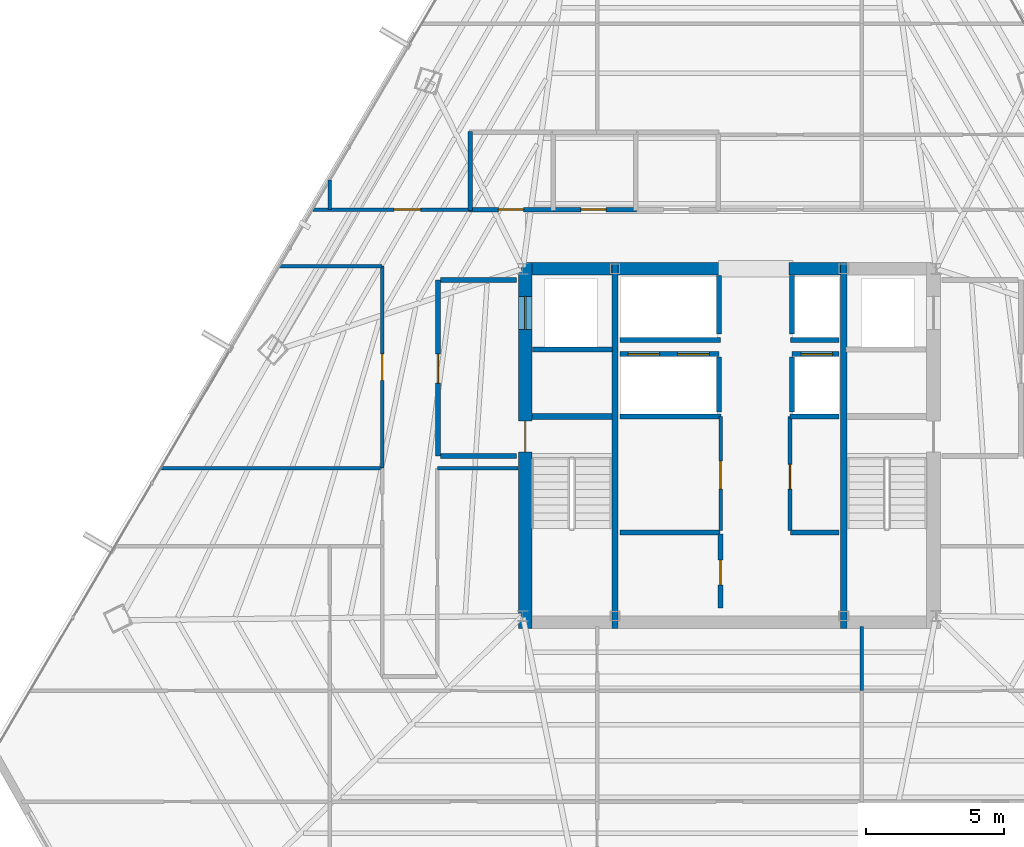
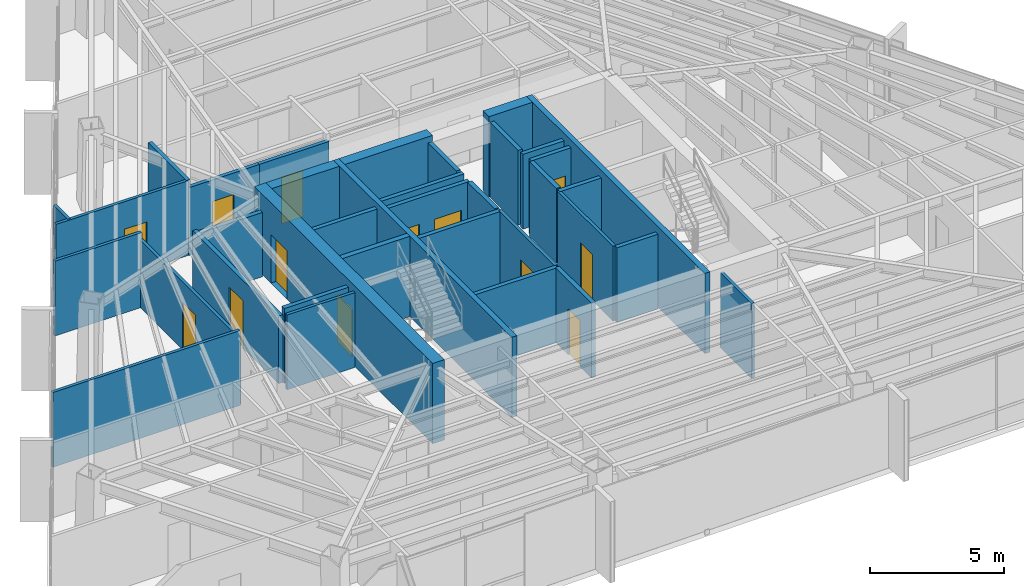
# One storey, part 36 of 42: 36 walls, 13 doors, 13 openings.
"""IFC4 building model written with IfcOpenShell, lengths in metres."""

from ifc_helpers import new_model, si_unit, direction, frame, frame_2d, origin, place, context, subcontext, project, spatial, rectangle, extrude, material, layer, layer_set, type_object, element, fill, save


model = new_model("IFC4")

# Units and contexts
model_context = context("Model", 3, precision=1e-05, world=origin(), true_north=direction((0.0, 1.0)))
body_context = subcontext(model_context, "Body", "Model", "MODEL_VIEW")
ifc_project = project(units=[si_unit("LENGTHUNIT", "METRE"), si_unit("AREAUNIT", "SQUARE_METRE"), si_unit("VOLUMEUNIT", "CUBIC_METRE"), si_unit("PLANEANGLEUNIT", "RADIAN"), si_unit("MASSUNIT", "GRAM", prefix="KILO")], contexts=[model_context])

# Site, building, storey
site_placement = place(None, origin())
site = spatial("IfcSite", under=ifc_project, at=site_placement, CompositionType="ELEMENT")
building_placement = place(site_placement, origin())
building = spatial("IfcBuilding", under=site, at=building_placement, Name="Caelisora Broadcast Tower", CompositionType="ELEMENT")
storey_placement = place(building_placement, frame((0.0, 0.0, 195.0)))
storey = spatial("IfcBuildingStorey", under=building, at=storey_placement, Name="L51", CompositionType="ELEMENT", Elevation=195.0)

# Wall, openings, doors
ifc_material_1 = material(Name="Concrete 50 MPa (AS 3600 S50)", Category="concrete")
ifc_layer_1 = layer(ifc_material_1, 0.5, Name="Concrete 50 MPa (AS 3600 S50)")
ifc_layer_set_1 = layer_set([ifc_layer_1], Name="Concrete 50 MPa (AS 3600 S50)")
wall_type_1 = type_object("IfcWallType", Name="CW2", PredefinedType="SHEAR", material=ifc_layer_set_1)
wall_1_placement = place(storey_placement, frame((30.590087890625, 16.949951171875, 0.0), z_axis=(0.0, 0.0, 1.0), x_axis=(0.0, 1.0, 0.0)))
wall_1 = element("IfcWall", 1, at=wall_1_placement, inside=storey, type_object=wall_type_1, Name="L51 core shear wall CW2", PredefinedType="SHEAR", context=body_context, shape_type="SweptSolid", body=[
    extrude(rectangle(XDim=13.275146484375, YDim=0.5, at=frame_2d((6.6376953125, 0.0))), origin(), (0.0, 0.0, 1.0), 3.64990234375),
])
opening_1_placement = place(wall_1_placement, frame((6.39990234375, 0.0, 0.0)))
opening_1 = element("IfcOpeningElement", 2, at=opening_1_placement, cuts=wall_1, Name="Opening FD04", PredefinedType="OPENING", context=body_context, shape_type="SweptSolid", body=[
    extrude(rectangle(XDim=1.1201171875, YDim=2.14990234375, at=frame_2d((0.56005859375, 1.074951171875))), frame((0.0, 0.261962890625, 0.0), z_axis=(0.0, -1.0, 0.0), x_axis=(1.0, 0.0, 0.0)), (0.0, 0.0, 1.0), 0.52392578125),
])
opening_2_placement = place(wall_1_placement, frame((10.85009765625, 0.0, 0.0)))
opening_2 = element("IfcOpeningElement", 3, at=opening_2_placement, cuts=wall_1, Name="Opening LD04", PredefinedType="OPENING", context=body_context, shape_type="SweptSolid", body=[
    extrude(rectangle(XDim=1.199951171875, YDim=2.199951171875, at=frame_2d((0.60009765625, 1.10009765625))), frame((0.0, 0.261962890625, 0.0), z_axis=(0.0, -1.0, 0.0), x_axis=(1.0, 0.0, 0.0)), (0.0, 0.0, 1.0), 0.52392578125),
])
ifc_material_2 = material(Name="Pressurised Fire-Isolated Stair Door", Category="steel")
door_type_1 = type_object("IfcDoorType", Name="FD04", OperationType="NOTDEFINED", PredefinedType="DOOR", material=ifc_material_2)
door_1_placement = place(opening_1_placement, origin())
door_1 = element("IfcDoor", 4, at=door_1_placement, inside=storey, type_object=door_type_1, Name="L51 door FD04 (L51-DR-ST1)", OperationType="SINGLE_SWING_LEFT", OverallHeight=2.14990234375, OverallWidth=1.1201171875, PredefinedType="DOOR", context=body_context, shape_type="SweptSolid", body=[
    extrude(rectangle(XDim=1.1201171875, YDim=2.14990234375, at=frame_2d((0.56005859375, 1.074951171875))), frame((0.0, 0.02490234375, 0.0), z_axis=(0.0, -1.0, 0.0), x_axis=(1.0, 0.0, 0.0)), (0.0, 0.0, 1.0), 0.050048828125),
])
fill(opening_1, door_1)
ifc_material_3 = material(Name="Emergency Firefighting Lift Sliding Landing Door", Category="steel")
door_type_2 = type_object("IfcDoorType", Name="LD04", OperationType="NOTDEFINED", PredefinedType="DOOR", material=ifc_material_3)
door_2_placement = place(opening_2_placement, origin())
door_2 = element("IfcDoor", 5, at=door_2_placement, inside=storey, type_object=door_type_2, Name="L51 door LD04 (L51-LD-FFL1)", OperationType="SLIDING_TO_LEFT", OverallHeight=2.199951171875, OverallWidth=1.199951171875, PredefinedType="DOOR", context=body_context, shape_type="SweptSolid", body=[
    extrude(rectangle(XDim=1.199951171875, YDim=2.199951171875, at=frame_2d((0.60009765625, 1.10009765625))), frame((0.0, 0.02490234375, 0.0), z_axis=(0.0, -1.0, 0.0), x_axis=(1.0, 0.0, 0.0)), (0.0, 0.0, 1.0), 0.050048828125),
])
fill(opening_2, door_2)

# Walls
ifc_layer_2 = layer(ifc_material_1, 0.449951171875, Name="Concrete 50 MPa (AS 3600 S50)")
ifc_layer_set_2 = layer_set([ifc_layer_2], Name="Concrete 50 MPa (AS 3600 S50)")
wall_type_2 = type_object("IfcWallType", Name="CW5", PredefinedType="SHEAR", material=ifc_layer_set_2)
wall_2_placement = place(storey_placement, frame((30.840087890625, 30.0, 0.0), z_axis=(0.0, 0.0, 1.0), x_axis=(1.0, 0.0, 0.0)))
element("IfcWall", 6, at=wall_2_placement, inside=storey, type_object=wall_type_2, Name="L51 core shear wall CW5", PredefinedType="SHEAR", context=body_context, shape_type="SweptSolid", body=[
    extrude(rectangle(XDim=2.89990234375, YDim=0.449951171875, at=frame_2d((1.449951171875, 0.0))), origin(), (0.0, 0.0, 1.0), 3.64990234375),
])
wall_3_placement = place(storey_placement, frame((33.9599609375, 30.0, 0.0), z_axis=(0.0, 0.0, 1.0), x_axis=(1.0, 0.0, 0.0)))
element("IfcWall", 7, at=wall_3_placement, inside=storey, type_object=wall_type_2, Name="L51 core shear wall CW5", PredefinedType="SHEAR", context=body_context, shape_type="SweptSolid", body=[
    extrude(rectangle(XDim=3.780029296875, YDim=0.449951171875, at=frame_2d((1.89013671875, 0.0))), origin(), (0.0, 0.0, 1.0), 3.64990234375),
])
wall_4_placement = place(storey_placement, frame((40.159912109375, 30.0, 0.0), z_axis=(0.0, 0.0, 1.0), x_axis=(1.0, 0.0, 0.0)))
element("IfcWall", 8, at=wall_4_placement, inside=storey, type_object=wall_type_2, Name="L51 core shear wall CW5", PredefinedType="SHEAR", context=body_context, shape_type="SweptSolid", body=[
    extrude(rectangle(XDim=1.880126953125, YDim=0.449951171875, at=frame_2d((0.93994140625, 0.0))), origin(), (0.0, 0.0, 1.0), 3.64990234375),
])
ifc_layer_3 = layer(ifc_material_1, 0.219970703125, Name="Concrete 50 MPa (AS 3600 S50)")
ifc_layer_set_3 = layer_set([ifc_layer_3], Name="Concrete 50 MPa (AS 3600 S50)")
wall_type_3 = type_object("IfcWallType", Name="CW7", PredefinedType="SHEAR", material=ifc_layer_set_3)
for number, where, z_axis, x_axis, name in (
    (9, (33.85009765625, 16.949951171875, 0.0), (0.0, 0.0, 1.0), (0.0, 1.0, 0.0), "L51 core shear wall CW7"),
    (10, (42.14990234375, 16.949951171875, 0.0), (0.0, 0.0, 1.0), (0.0, 1.0, 0.0), "L51 core shear wall CW7"),
):
    element("IfcWall", number, at=place(storey_placement, frame(where, z_axis=z_axis, x_axis=x_axis)), inside=storey, type_object=wall_type_3, Name=name, PredefinedType="SHEAR", context=body_context, shape_type="SweptSolid", body=[
        extrude(rectangle(XDim=13.275146484375, YDim=0.219970703125, at=frame_2d((6.6376953125, 0.0))), origin(), (0.0, 0.0, 1.0), 3.64990234375),
    ])
wall_5_placement = place(storey_placement, frame((30.840087890625, 24.639892578125, 0.0), z_axis=(0.0, 0.0, 1.0), x_axis=(1.0, 0.0, 0.0)))
element("IfcWall", 11, at=wall_5_placement, inside=storey, type_object=wall_type_3, Name="L51 core shear wall CW7", PredefinedType="SHEAR", context=body_context, shape_type="SweptSolid", body=[
    extrude(rectangle(XDim=2.89990234375, YDim=0.219970703125, at=frame_2d((1.449951171875, 0.0))), origin(), (0.0, 0.0, 1.0), 3.64990234375),
])

# Wall, openings, doors
ifc_material_4 = material(Name="Fire-Rated Gypsum Shaft and Compartment Wall", Category="gypsum")
ifc_layer_4 = layer(ifc_material_4, 0.179931640625, Name="Fire-Rated Gypsum Shaft and Compartment Wall")
ifc_layer_set_4 = layer_set([ifc_layer_4], Name="Fire-Rated Gypsum Shaft and Compartment Wall")
wall_type_4 = type_object("IfcWallType", Name="PW2", PredefinedType="PARTITIONING", material=ifc_layer_set_4)
wall_6_placement = place(storey_placement, frame((34.02001953125, 26.89990234375, 0.0), z_axis=(0.0, 0.0, 1.0), x_axis=(1.0, 0.0, 0.0)))
wall_6 = element("IfcWall", 12, at=wall_6_placement, inside=storey, type_object=wall_type_4, Name="L51 fire compartment wall PW2", PredefinedType="PARTITIONING", context=body_context, shape_type="SweptSolid", body=[
    extrude(rectangle(XDim=3.60009765625, YDim=0.179931640625, at=frame_2d((1.800048828125, 0.0))), origin(), (0.0, 0.0, 1.0), 3.39990234375),
])
opening_3_placement = place(wall_6_placement, frame((0.300048828125, 0.0, 0.0)))
opening_3 = element("IfcOpeningElement", 13, at=opening_3_placement, cuts=wall_6, Name="Opening LD02", PredefinedType="OPENING", context=body_context, shape_type="SweptSolid", body=[
    extrude(rectangle(XDim=1.14990234375, YDim=2.199951171875, at=frame_2d((0.574951171875, 1.10009765625))), frame((0.0, 0.10205078125, 0.0), z_axis=(0.0, -1.0, 0.0), x_axis=(1.0, 0.0, 0.0)), (0.0, 0.0, 1.0), 0.203857421875),
])
opening_4_placement = place(wall_6_placement, frame((2.10009765625, 0.0, 0.0)))
opening_4 = element("IfcOpeningElement", 14, at=opening_4_placement, cuts=wall_6, Name="Opening LD02", PredefinedType="OPENING", context=body_context, shape_type="SweptSolid", body=[
    extrude(rectangle(XDim=1.14990234375, YDim=2.199951171875, at=frame_2d((0.574951171875, 1.10009765625))), frame((0.0, 0.10205078125, 0.0), z_axis=(0.0, -1.0, 0.0), x_axis=(1.0, 0.0, 0.0)), (0.0, 0.0, 1.0), 0.203857421875),
])
ifc_material_5 = material(Name="High-Speed Express Lift Sliding Landing Door", Category="steel")
door_type_3 = type_object("IfcDoorType", Name="LD02", OperationType="NOTDEFINED", PredefinedType="DOOR", material=ifc_material_5)
door_3_placement = place(opening_3_placement, origin())
door_3 = element("IfcDoor", 15, at=door_3_placement, inside=storey, type_object=door_type_3, Name="L51 door LD02 (L51-LD-PLM1)", OperationType="SLIDING_TO_LEFT", OverallHeight=2.199951171875, OverallWidth=1.14990234375, PredefinedType="DOOR", context=body_context, shape_type="SweptSolid", body=[
    extrude(rectangle(XDim=1.14990234375, YDim=2.199951171875, at=frame_2d((0.574951171875, 1.10009765625))), frame((0.0, 0.02490234375, 0.0), z_axis=(0.0, -1.0, 0.0), x_axis=(1.0, 0.0, 0.0)), (0.0, 0.0, 1.0), 0.050048828125),
])
fill(opening_3, door_3)
door_4_placement = place(opening_4_placement, origin())
door_4 = element("IfcDoor", 16, at=door_4_placement, inside=storey, type_object=door_type_3, Name="L51 door LD02 (L51-LD-PLM2)", OperationType="SLIDING_TO_RIGHT", OverallHeight=2.199951171875, OverallWidth=1.14990234375, PredefinedType="DOOR", context=body_context, shape_type="SweptSolid", body=[
    extrude(rectangle(XDim=1.14990234375, YDim=2.199951171875, at=frame_2d((0.574951171875, 1.10009765625))), frame((0.0, 0.02490234375, 0.0), z_axis=(0.0, -1.0, 0.0), x_axis=(1.0, 0.0, 0.0)), (0.0, 0.0, 1.0), 0.050048828125),
])
fill(opening_4, door_4)

# Wall, opening, door
wall_7_placement = place(storey_placement, frame((40.280029296875, 26.89990234375, 0.0), z_axis=(0.0, 0.0, 1.0), x_axis=(1.0, 0.0, 0.0)))
wall_7 = element("IfcWall", 17, at=wall_7_placement, inside=storey, type_object=wall_type_4, Name="L51 fire compartment wall PW2", PredefinedType="PARTITIONING", context=body_context, shape_type="SweptSolid", body=[
    extrude(rectangle(XDim=1.699951171875, YDim=0.179931640625, at=frame_2d((0.85009765625, 0.0))), origin(), (0.0, 0.0, 1.0), 3.39990234375),
])
opening_5_placement = place(wall_7_placement, frame((0.320068359375, 0.0, 0.0)))
opening_5 = element("IfcOpeningElement", 18, at=opening_5_placement, cuts=wall_7, Name="Opening LD02", PredefinedType="OPENING", context=body_context, shape_type="SweptSolid", body=[
    extrude(rectangle(XDim=1.14990234375, YDim=2.199951171875, at=frame_2d((0.574951171875, 1.10009765625))), frame((0.0, 0.10205078125, 0.0), z_axis=(0.0, -1.0, 0.0), x_axis=(1.0, 0.0, 0.0)), (0.0, 0.0, 1.0), 0.203857421875),
])
door_5_placement = place(opening_5_placement, origin())
door_5 = element("IfcDoor", 19, at=door_5_placement, inside=storey, type_object=door_type_3, Name="L51 door LD02 (L51-LD-PLM3)", OperationType="SLIDING_TO_LEFT", OverallHeight=2.199951171875, OverallWidth=1.14990234375, PredefinedType="DOOR", context=body_context, shape_type="SweptSolid", body=[
    extrude(rectangle(XDim=1.14990234375, YDim=2.199951171875, at=frame_2d((0.574951171875, 1.10009765625))), frame((0.0, 0.02490234375, 0.0), z_axis=(0.0, -1.0, 0.0), x_axis=(1.0, 0.0, 0.0)), (0.0, 0.0, 1.0), 0.050048828125),
])
fill(opening_5, door_5)

# Walls
for number, where, z_axis, x_axis, name in (
    (20, (37.6201171875, 24.800048828125, 0.0), (0.0, 0.0, 1.0), (0.0, 1.0, 0.0), "L51 fire compartment wall PW2"),
    (21, (40.280029296875, 24.800048828125, 0.0), (0.0, 0.0, 1.0), (0.0, 1.0, 0.0), "L51 fire compartment wall PW2"),
):
    element("IfcWall", number, at=place(storey_placement, frame(where, z_axis=z_axis, x_axis=x_axis)), inside=storey, type_object=wall_type_4, Name=name, PredefinedType="PARTITIONING", context=body_context, shape_type="SweptSolid", body=[
        extrude(rectangle(XDim=2.0, YDim=0.179931640625, at=frame_2d((1.0, 0.0))), origin(), (0.0, 0.0, 1.0), 3.39990234375),
    ])
wall_8_placement = place(storey_placement, frame((34.02001953125, 24.639892578125, 0.0), z_axis=(0.0, 0.0, 1.0), x_axis=(1.0, 0.0, 0.0)))
element("IfcWall", 22, at=wall_8_placement, inside=storey, type_object=wall_type_4, Name="L51 fire compartment wall PW2", PredefinedType="PARTITIONING", context=body_context, shape_type="SweptSolid", body=[
    extrude(rectangle(XDim=3.679931640625, YDim=0.179931640625, at=frame_2d((1.83984375, 0.0))), origin(), (0.0, 0.0, 1.0), 3.39990234375),
])
wall_9_placement = place(storey_placement, frame((40.199951171875, 24.639892578125, 0.0), z_axis=(0.0, 0.0, 1.0), x_axis=(1.0, 0.0, 0.0)))
element("IfcWall", 23, at=wall_9_placement, inside=storey, type_object=wall_type_4, Name="L51 fire compartment wall PW2", PredefinedType="PARTITIONING", context=body_context, shape_type="SweptSolid", body=[
    extrude(rectangle(XDim=1.780029296875, YDim=0.179931640625, at=frame_2d((0.89013671875, 0.0))), origin(), (0.0, 0.0, 1.0), 3.39990234375),
])
wall_10_placement = place(storey_placement, frame((34.02001953125, 27.419921875, 0.0), z_axis=(0.0, 0.0, 1.0), x_axis=(1.0, 0.0, 0.0)))
element("IfcWall", 24, at=wall_10_placement, inside=storey, type_object=wall_type_4, Name="L51 fire compartment wall PW2", PredefinedType="PARTITIONING", context=body_context, shape_type="SweptSolid", body=[
    extrude(rectangle(XDim=3.659912109375, YDim=0.179931640625, at=frame_2d((1.830078125, 0.0))), origin(), (0.0, 0.0, 1.0), 3.39990234375),
])
wall_11_placement = place(storey_placement, frame((40.219970703125, 27.419921875, 0.0), z_axis=(0.0, 0.0, 1.0), x_axis=(1.0, 0.0, 0.0)))
element("IfcWall", 25, at=wall_11_placement, inside=storey, type_object=wall_type_4, Name="L51 fire compartment wall PW2", PredefinedType="PARTITIONING", context=body_context, shape_type="SweptSolid", body=[
    extrude(rectangle(XDim=1.760009765625, YDim=0.179931640625, at=frame_2d((0.8798828125, 0.0))), origin(), (0.0, 0.0, 1.0), 3.39990234375),
])
for number, where, z_axis, x_axis, name in (
    (26, (37.6201171875, 27.639892578125, 0.0), (0.0, 0.0, 1.0), (0.0, 1.0, 0.0), "L51 fire compartment wall PW2"),
    (27, (40.280029296875, 27.639892578125, 0.0), (0.0, 0.0, 1.0), (0.0, 1.0, 0.0), "L51 fire compartment wall PW2"),
):
    element("IfcWall", number, at=place(storey_placement, frame(where, z_axis=z_axis, x_axis=x_axis)), inside=storey, type_object=wall_type_4, Name=name, PredefinedType="PARTITIONING", context=body_context, shape_type="SweptSolid", body=[
        extrude(rectangle(XDim=2.110107421875, YDim=0.179931640625, at=frame_2d((1.05517578125, 0.0))), origin(), (0.0, 0.0, 1.0), 3.39990234375),
    ])

# Wall, opening, door
wall_12_placement = place(storey_placement, frame((27.419921875, 23.199951171875, 0.0), z_axis=(0.0, 0.0, 1.0), x_axis=(0.0, 1.0, 0.0)))
wall_12 = element("IfcWall", 28, at=wall_12_placement, inside=storey, type_object=wall_type_4, Name="L51 fire compartment wall PW2", PredefinedType="PARTITIONING", context=body_context, shape_type="SweptSolid", body=[
    extrude(rectangle(XDim=6.400146484375, YDim=0.179931640625, at=frame_2d((3.2001953125, 0.0))), origin(), (0.0, 0.0, 1.0), 3.077880859375),
])
opening_6_placement = place(wall_12_placement, frame((2.64990234375, 0.0, 0.0)))
opening_6 = element("IfcOpeningElement", 29, at=opening_6_placement, cuts=wall_12, Name="Opening FD02", PredefinedType="OPENING", context=body_context, shape_type="SweptSolid", body=[
    extrude(rectangle(XDim=1.050048828125, YDim=2.14990234375, at=frame_2d((0.52490234375, 1.074951171875))), frame((0.0, 0.10205078125, 0.0), z_axis=(0.0, -1.0, 0.0), x_axis=(1.0, 0.0, 0.0)), (0.0, 0.0, 1.0), 0.203857421875),
])
ifc_material_6 = material(Name="Single-Leaf Steel Fire Lobby Door", Category="steel")
door_type_4 = type_object("IfcDoorType", Name="FD02", OperationType="NOTDEFINED", PredefinedType="DOOR", material=ifc_material_6)
door_6_placement = place(opening_6_placement, origin())
door_6 = element("IfcDoor", 30, at=door_6_placement, inside=storey, type_object=door_type_4, Name="L51 door FD02 (L51-DR-P01D1)", OperationType="SINGLE_SWING_LEFT", OverallHeight=2.14990234375, OverallWidth=1.050048828125, PredefinedType="DOOR", context=body_context, shape_type="SweptSolid", body=[
    extrude(rectangle(XDim=1.050048828125, YDim=2.14990234375, at=frame_2d((0.52490234375, 1.074951171875))), frame((0.0, 0.02490234375, 0.0), z_axis=(0.0, -1.0, 0.0), x_axis=(1.0, 0.0, 0.0)), (0.0, 0.0, 1.0), 0.050048828125),
])
fill(opening_6, door_6)

# Walls
wall_13_placement = place(storey_placement, frame((27.52001953125, 23.199951171875, 0.0), z_axis=(0.0, 0.0, 1.0), x_axis=(1.0, 0.0, 0.0)))
element("IfcWall", 31, at=wall_13_placement, inside=storey, type_object=wall_type_4, Name="L51 fire compartment wall PW2", PredefinedType="PARTITIONING", context=body_context, shape_type="SweptSolid", body=[
    extrude(rectangle(XDim=2.760009765625, YDim=0.179931640625, at=frame_2d((1.3798828125, 0.0))), origin(), (0.0, 0.0, 1.0), 3.39990234375),
])
wall_14_placement = place(storey_placement, frame((27.52001953125, 29.60009765625, 0.0), z_axis=(0.0, 0.0, 1.0), x_axis=(1.0, 0.0, 0.0)))
element("IfcWall", 32, at=wall_14_placement, inside=storey, type_object=wall_type_4, Name="L51 fire compartment wall PW2", PredefinedType="PARTITIONING", context=body_context, shape_type="SweptSolid", body=[
    extrude(rectangle(XDim=2.760009765625, YDim=0.179931640625, at=frame_2d((1.3798828125, 0.0))), origin(), (0.0, 0.0, 1.0), 2.924560546875),
])
wall_15_placement = place(storey_placement, frame((30.860107421875, 27.070068359375, 0.0), z_axis=(0.0, 0.0, 1.0), x_axis=(1.0, 0.0, 0.0)))
element("IfcWall", 33, at=wall_15_placement, inside=storey, type_object=wall_type_4, Name="L51 fire compartment wall PW2", PredefinedType="PARTITIONING", context=body_context, shape_type="SweptSolid", body=[
    extrude(rectangle(XDim=2.89990234375, YDim=0.179931640625, at=frame_2d((1.449951171875, 0.0))), origin(), (0.0, 0.0, 1.0), 3.39990234375),
])
wall_16_placement = place(storey_placement, frame((34.02001953125, 20.419921875, 0.0), z_axis=(0.0, 0.0, 1.0), x_axis=(1.0, 0.0, 0.0)))
element("IfcWall", 34, at=wall_16_placement, inside=storey, type_object=wall_type_4, Name="L51 fire compartment wall PW2", PredefinedType="PARTITIONING", context=body_context, shape_type="SweptSolid", body=[
    extrude(rectangle(XDim=3.639892578125, YDim=0.179931640625, at=frame_2d((1.81982421875, 0.0))), origin(), (0.0, 0.0, 1.0), 3.39990234375),
])
wall_17_placement = place(storey_placement, frame((40.219970703125, 20.419921875, 0.0), z_axis=(0.0, 0.0, 1.0), x_axis=(1.0, 0.0, 0.0)))
element("IfcWall", 35, at=wall_17_placement, inside=storey, type_object=wall_type_4, Name="L51 fire compartment wall PW2", PredefinedType="PARTITIONING", context=body_context, shape_type="SweptSolid", body=[
    extrude(rectangle(XDim=1.760009765625, YDim=0.179931640625, at=frame_2d((0.8798828125, 0.0))), origin(), (0.0, 0.0, 1.0), 3.39990234375),
])

# Wall, opening, door
wall_18_placement = place(storey_placement, frame((37.679931640625, 17.679931640625, 0.0), z_axis=(0.0, 0.0, 1.0), x_axis=(0.0, 1.0, 0.0)))
wall_18 = element("IfcWall", 36, at=wall_18_placement, inside=storey, type_object=wall_type_4, Name="L51 fire compartment wall PW2", PredefinedType="PARTITIONING", context=body_context, shape_type="SweptSolid", body=[
    extrude(rectangle(XDim=2.699951171875, YDim=0.179931640625, at=frame_2d((1.35009765625, 0.0))), origin(), (0.0, 0.0, 1.0), 3.39990234375),
])
opening_7_placement = place(wall_18_placement, frame((0.85009765625, 0.0, 0.0)))
opening_7 = element("IfcOpeningElement", 37, at=opening_7_placement, cuts=wall_18, Name="Opening FD03", PredefinedType="OPENING", context=body_context, shape_type="SweptSolid", body=[
    extrude(rectangle(XDim=0.89990234375, YDim=2.10009765625, at=frame_2d((0.449951171875, 1.050048828125))), frame((0.0, 0.10205078125, 0.0), z_axis=(0.0, -1.0, 0.0), x_axis=(1.0, 0.0, 0.0)), (0.0, 0.0, 1.0), 0.203857421875),
])
ifc_material_7 = material(Name="Single-Leaf Steel Riser Fire Access Door", Category="steel")
door_type_5 = type_object("IfcDoorType", Name="FD03", OperationType="NOTDEFINED", PredefinedType="DOOR", material=ifc_material_7)
door_7_placement = place(opening_7_placement, origin())
door_7 = element("IfcDoor", 38, at=door_7_placement, inside=storey, type_object=door_type_5, Name="L51 door FD03 (L51-DR-P13D1)", OperationType="SINGLE_SWING_LEFT", OverallHeight=2.10009765625, OverallWidth=0.89990234375, PredefinedType="DOOR", context=body_context, shape_type="SweptSolid", body=[
    extrude(rectangle(XDim=0.89990234375, YDim=2.10009765625, at=frame_2d((0.449951171875, 1.050048828125))), frame((0.0, 0.02490234375, 0.0), z_axis=(0.0, -1.0, 0.0), x_axis=(1.0, 0.0, 0.0)), (0.0, 0.0, 1.0), 0.050048828125),
])
fill(opening_7, door_7)

ifc_material_8 = material(Name="Acoustic Steel-Stud Plasterboard Partition", Category="gypsum")
ifc_layer_5 = layer(ifc_material_8, 0.1298828125, Name="Acoustic Steel-Stud Plasterboard Partition")
ifc_layer_set_5 = layer_set([ifc_layer_5], Name="Acoustic Steel-Stud Plasterboard Partition")
wall_type_5 = type_object("IfcWallType", Name="PW3", PredefinedType="PARTITIONING", material=ifc_layer_set_5)
wall_19_placement = place(storey_placement, frame((37.679931640625, 20.5, 0.0), z_axis=(0.0, 0.0, 1.0), x_axis=(0.0, 1.0, 0.0)))
wall_19 = element("IfcWall", 39, at=wall_19_placement, inside=storey, type_object=wall_type_5, Name="L51 internal partition PW3", PredefinedType="PARTITIONING", context=body_context, shape_type="SweptSolid", body=[
    extrude(rectangle(XDim=4.139892578125, YDim=0.1298828125, at=frame_2d((2.06982421875, 0.0))), origin(), (0.0, 0.0, 1.0), 3.39990234375),
])
opening_8_placement = place(wall_19_placement, frame((1.5, 0.0, 0.0)))
opening_8 = element("IfcOpeningElement", 40, at=opening_8_placement, cuts=wall_19, Name="Opening D02", PredefinedType="OPENING", context=body_context, shape_type="SweptSolid", body=[
    extrude(rectangle(XDim=1.02001953125, YDim=2.14990234375, at=frame_2d((0.510009765625, 1.074951171875))), frame((0.0, 0.076904296875, 0.0), z_axis=(0.0, -1.0, 0.0), x_axis=(1.0, 0.0, 0.0)), (0.0, 0.0, 1.0), 0.15380859375),
])
ifc_material_9 = material(Name="Solid-Core Timber Archive Suite Door", Category="wood")
door_type_6 = type_object("IfcDoorType", Name="D02", OperationType="NOTDEFINED", PredefinedType="DOOR", material=ifc_material_9)
door_8_placement = place(opening_8_placement, origin())
door_8 = element("IfcDoor", 41, at=door_8_placement, inside=storey, type_object=door_type_6, Name="L51 door D02 (L51-DR-P11D1)", OperationType="SINGLE_SWING_LEFT", OverallHeight=2.14990234375, OverallWidth=1.02001953125, PredefinedType="DOOR", context=body_context, shape_type="SweptSolid", body=[
    extrude(rectangle(XDim=1.02001953125, YDim=2.14990234375, at=frame_2d((0.510009765625, 1.074951171875))), frame((0.0, 0.02490234375, 0.0), z_axis=(0.0, -1.0, 0.0), x_axis=(1.0, 0.0, 0.0)), (0.0, 0.0, 1.0), 0.050048828125),
])
fill(opening_8, door_8)

wall_20_placement = place(storey_placement, frame((40.199951171875, 20.5, 0.0), z_axis=(0.0, 0.0, 1.0), x_axis=(0.0, 1.0, 0.0)))
wall_20 = element("IfcWall", 42, at=wall_20_placement, inside=storey, type_object=wall_type_5, Name="L51 internal partition PW3", PredefinedType="PARTITIONING", context=body_context, shape_type="SweptSolid", body=[
    extrude(rectangle(XDim=4.139892578125, YDim=0.1298828125, at=frame_2d((2.06982421875, 0.0))), origin(), (0.0, 0.0, 1.0), 3.39990234375),
])
opening_9_placement = place(wall_20_placement, frame((1.5, 0.0, 0.0)))
opening_9 = element("IfcOpeningElement", 43, at=opening_9_placement, cuts=wall_20, Name="Opening FD03", PredefinedType="OPENING", context=body_context, shape_type="SweptSolid", body=[
    extrude(rectangle(XDim=0.89990234375, YDim=2.10009765625, at=frame_2d((0.449951171875, 1.050048828125))), frame((0.0, 0.076904296875, 0.0), z_axis=(0.0, -1.0, 0.0), x_axis=(1.0, 0.0, 0.0)), (0.0, 0.0, 1.0), 0.15380859375),
])
door_9_placement = place(opening_9_placement, origin())
door_9 = element("IfcDoor", 44, at=door_9_placement, inside=storey, type_object=door_type_5, Name="L51 door FD03 (L51-DR-P12D1)", OperationType="SINGLE_SWING_RIGHT", OverallHeight=2.10009765625, OverallWidth=0.89990234375, PredefinedType="DOOR", context=body_context, shape_type="SweptSolid", body=[
    extrude(rectangle(XDim=0.89990234375, YDim=2.10009765625, at=frame_2d((0.449951171875, 1.050048828125))), frame((0.0, 0.02490234375, 0.0), z_axis=(0.0, -1.0, 0.0), x_axis=(1.0, 0.0, 0.0)), (0.0, 0.0, 1.0), 0.050048828125),
])
fill(opening_9, door_9)

# Wall
wall_21_placement = place(storey_placement, frame((17.352294921875, 22.760009765625, 0.0), z_axis=(0.0, 0.0, 1.0), x_axis=(1.0, 0.0, 0.0)))
element("IfcWall", 45, at=wall_21_placement, inside=storey, type_object=wall_type_5, Name="L51 internal partition PW3", PredefinedType="PARTITIONING", context=body_context, shape_type="SweptSolid", body=[
    extrude(rectangle(XDim=8.042724609375, YDim=0.1298828125, at=frame_2d((4.021484375, 0.0))), origin(), (0.0, 0.0, 1.0), 3.39990234375),
])

# Wall, opening, door
wall_22_placement = place(storey_placement, frame((25.39990234375, 30.094970703125, 0.0), z_axis=(0.0, 0.0, 1.0), x_axis=(0.0, -1.0, 0.0)))
wall_22 = element("IfcWall", 46, at=wall_22_placement, inside=storey, type_object=wall_type_5, Name="L51 internal partition PW3", PredefinedType="PARTITIONING", context=body_context, shape_type="SweptSolid", body=[
    extrude(rectangle(XDim=7.330078125, YDim=0.1298828125, at=frame_2d((3.6650390625, 0.0))), origin(), (0.0, 0.0, 1.0), 3.077880859375),
])
opening_10_placement = place(wall_22_placement, frame((3.18505859375, 0.0, 0.0)))
opening_10 = element("IfcOpeningElement", 47, at=opening_10_placement, cuts=wall_22, Name="Opening D01", PredefinedType="OPENING", context=body_context, shape_type="SweptSolid", body=[
    extrude(rectangle(XDim=0.9599609375, YDim=2.14990234375, at=frame_2d((0.47998046875, 1.074951171875))), frame((0.0, 0.076904296875, 0.0), z_axis=(0.0, -1.0, 0.0), x_axis=(1.0, 0.0, 0.0)), (0.0, 0.0, 1.0), 0.15380859375),
])
ifc_material_10 = material(Name="Solid-Core Timber Acoustic Office Door", Category="wood")
door_type_7 = type_object("IfcDoorType", Name="D01", OperationType="NOTDEFINED", PredefinedType="DOOR", material=ifc_material_10)
door_10_placement = place(opening_10_placement, origin())
door_10 = element("IfcDoor", 48, at=door_10_placement, inside=storey, type_object=door_type_7, Name="L51 door D01 (L51-DR-P45D1)", OperationType="SINGLE_SWING_LEFT", OverallHeight=2.14990234375, OverallWidth=0.9599609375, PredefinedType="DOOR", context=body_context, shape_type="SweptSolid", body=[
    extrude(rectangle(XDim=0.9599609375, YDim=2.14990234375, at=frame_2d((0.47998046875, 1.074951171875))), frame((0.0, 0.02490234375, 0.0), z_axis=(0.0, -1.0, 0.0), x_axis=(1.0, 0.0, 0.0)), (0.0, 0.0, 1.0), 0.050048828125),
])
fill(opening_10, door_10)

wall_23_placement = place(storey_placement, frame((22.89208984375, 32.14990234375, 0.0), z_axis=(0.0, 0.0, 1.0), x_axis=(1.0, 0.0, 0.0)))
wall_23 = element("IfcWall", 49, at=wall_23_placement, inside=storey, type_object=wall_type_5, Name="L51 internal partition PW3", PredefinedType="PARTITIONING", context=body_context, shape_type="SweptSolid", body=[
    extrude(rectangle(XDim=5.702880859375, YDim=0.1298828125, at=frame_2d((2.8515625, 0.0))), origin(), (0.0, 0.0, 1.0), 3.39990234375),
])
opening_11_placement = place(wall_23_placement, frame((2.93994140625, 0.0, 0.0)))
opening_11 = element("IfcOpeningElement", 50, at=opening_11_placement, cuts=wall_23, Name="Opening D01", PredefinedType="OPENING", context=body_context, shape_type="SweptSolid", body=[
    extrude(rectangle(XDim=0.9599609375, YDim=2.14990234375, at=frame_2d((0.47998046875, 1.074951171875))), frame((0.0, 0.076904296875, 0.0), z_axis=(0.0, -1.0, 0.0), x_axis=(1.0, 0.0, 0.0)), (0.0, 0.0, 1.0), 0.15380859375),
])
door_11_placement = place(opening_11_placement, origin())
door_11 = element("IfcDoor", 51, at=door_11_placement, inside=storey, type_object=door_type_7, Name="L51 door D01 (L51-DR-P55D1)", OperationType="SINGLE_SWING_LEFT", OverallHeight=2.14990234375, OverallWidth=0.9599609375, PredefinedType="DOOR", context=body_context, shape_type="SweptSolid", body=[
    extrude(rectangle(XDim=0.9599609375, YDim=2.14990234375, at=frame_2d((0.47998046875, 1.074951171875))), frame((0.0, 0.02490234375, 0.0), z_axis=(0.0, -1.0, 0.0), x_axis=(1.0, 0.0, 0.0)), (0.0, 0.0, 1.0), 0.050048828125),
])
fill(opening_11, door_11)

# Walls
wall_24_placement = place(storey_placement, frame((21.66259765625, 30.10009765625, 0.0), z_axis=(0.0, 0.0, 1.0), x_axis=(1.0, 0.0, 0.0)))
element("IfcWall", 52, at=wall_24_placement, inside=storey, type_object=wall_type_5, Name="L51 internal partition PW3", PredefinedType="PARTITIONING", context=body_context, shape_type="SweptSolid", body=[
    extrude(rectangle(XDim=3.732421875, YDim=0.1298828125, at=frame_2d((1.8662109375, 0.0))), origin(), (0.0, 0.0, 1.0), 3.39990234375),
])
wall_25_placement = place(storey_placement, frame((27.405029296875, 22.760009765625, 0.0), z_axis=(0.0, 0.0, 1.0), x_axis=(1.0, 0.0, 0.0)))
element("IfcWall", 53, at=wall_25_placement, inside=storey, type_object=wall_type_5, Name="L51 internal partition PW3", PredefinedType="PARTITIONING", context=body_context, shape_type="SweptSolid", body=[
    extrude(rectangle(XDim=2.919921875, YDim=0.1298828125, at=frame_2d((1.4599609375, 0.0))), origin(), (0.0, 0.0, 1.0), 3.39990234375),
])
wall_26_placement = place(storey_placement, frame((42.800048828125, 14.695068359375, 0.0), z_axis=(0.0, 0.0, 1.0), x_axis=(0.0, 1.0, 0.0)))
element("IfcWall", 54, at=wall_26_placement, inside=storey, type_object=wall_type_5, Name="L51 internal partition PW3", PredefinedType="PARTITIONING", context=body_context, shape_type="SweptSolid", body=[
    extrude(rectangle(XDim=2.329833984375, YDim=0.1298828125, at=frame_2d((1.1650390625, 0.0))), origin(), (0.0, 0.0, 1.0), 3.39990234375),
])
wall_27_placement = place(storey_placement, frame((23.5, 32.155029296875, 0.0), z_axis=(0.0, 0.0, 1.0), x_axis=(0.0, 1.0, 0.0)))
element("IfcWall", 55, at=wall_27_placement, inside=storey, type_object=wall_type_5, Name="L51 internal partition PW3", PredefinedType="PARTITIONING", context=body_context, shape_type="SweptSolid", body=[
    extrude(rectangle(XDim=1.07421875, YDim=0.1298828125, at=frame_2d((0.537109375, 0.0))), origin(), (0.0, 0.0, 1.0), 3.39990234375),
])

# Wall, opening, door
ifc_material_11 = material(Name="Moisture-Resistant Wet Plumbing Service Wall", Category="gypsum")
ifc_layer_6 = layer(ifc_material_11, 0.159912109375, Name="Moisture-Resistant Wet Plumbing Service Wall")
ifc_layer_set_6 = layer_set([ifc_layer_6], Name="Moisture-Resistant Wet Plumbing Service Wall")
wall_type_6 = type_object("IfcWallType", Name="PW4", PredefinedType="PLUMBINGWALL", material=ifc_layer_set_6)
wall_28_placement = place(storey_placement, frame((28.574951171875, 32.14990234375, 0.0), z_axis=(0.0, 0.0, 1.0), x_axis=(1.0, 0.0, 0.0)))
wall_28 = element("IfcWall", 56, at=wall_28_placement, inside=storey, type_object=wall_type_6, Name="L51 wet plumbing wall PW4", PredefinedType="PLUMBINGWALL", context=body_context, shape_type="SweptSolid", body=[
    extrude(rectangle(XDim=3.050048828125, YDim=0.159912109375, at=frame_2d((1.52490234375, 0.0))), origin(), (0.0, 0.0, 1.0), 3.077880859375),
])
opening_12_placement = place(wall_28_placement, frame((1.034912109375, 0.0, 0.0)))
opening_12 = element("IfcOpeningElement", 57, at=opening_12_placement, cuts=wall_28, Name="Opening D03", PredefinedType="OPENING", context=body_context, shape_type="SweptSolid", body=[
    extrude(rectangle(XDim=0.919921875, YDim=2.10009765625, at=frame_2d((0.4599609375, 1.050048828125))), frame((0.0, 0.092041015625, 0.0), z_axis=(0.0, -1.0, 0.0), x_axis=(1.0, 0.0, 0.0)), (0.0, 0.0, 1.0), 0.183837890625),
])
ifc_material_12 = material(Name="Laminate Moisture-Resistant Amenity WC Door", Category="wood")
door_type_8 = type_object("IfcDoorType", Name="D03", OperationType="NOTDEFINED", PredefinedType="DOOR", material=ifc_material_12)
door_12_placement = place(opening_12_placement, origin())
door_12 = element("IfcDoor", 58, at=door_12_placement, inside=storey, type_object=door_type_8, Name="L51 door D03 (L51-DR-P14D1)", OperationType="SINGLE_SWING_RIGHT", OverallHeight=2.10009765625, OverallWidth=0.919921875, PredefinedType="DOOR", context=body_context, shape_type="SweptSolid", body=[
    extrude(rectangle(XDim=0.919921875, YDim=2.10009765625, at=frame_2d((0.4599609375, 1.050048828125))), frame((0.0, 0.02490234375, 0.0), z_axis=(0.0, -1.0, 0.0), x_axis=(1.0, 0.0, 0.0)), (0.0, 0.0, 1.0), 0.050048828125),
])
fill(opening_12, door_12)

wall_29_placement = place(storey_placement, frame((31.574951171875, 32.14990234375, 0.0), z_axis=(0.0, 0.0, 1.0), x_axis=(1.0, 0.0, 0.0)))
wall_29 = element("IfcWall", 59, at=wall_29_placement, inside=storey, type_object=wall_type_6, Name="L51 wet plumbing wall PW4", PredefinedType="PLUMBINGWALL", context=body_context, shape_type="SweptSolid", body=[
    extrude(rectangle(XDim=3.050048828125, YDim=0.159912109375, at=frame_2d((1.52490234375, 0.0))), origin(), (0.0, 0.0, 1.0), 3.077880859375),
])
opening_13_placement = place(wall_29_placement, frame((1.034912109375, 0.0, 0.0)))
opening_13 = element("IfcOpeningElement", 60, at=opening_13_placement, cuts=wall_29, Name="Opening D03", PredefinedType="OPENING", context=body_context, shape_type="SweptSolid", body=[
    extrude(rectangle(XDim=0.919921875, YDim=2.10009765625, at=frame_2d((0.4599609375, 1.050048828125))), frame((0.0, 0.092041015625, 0.0), z_axis=(0.0, -1.0, 0.0), x_axis=(1.0, 0.0, 0.0)), (0.0, 0.0, 1.0), 0.183837890625),
])
door_13_placement = place(opening_13_placement, origin())
door_13 = element("IfcDoor", 61, at=door_13_placement, inside=storey, type_object=door_type_8, Name="L51 door D03 (L51-DR-P15D1)", OperationType="SINGLE_SWING_LEFT", OverallHeight=2.10009765625, OverallWidth=0.919921875, PredefinedType="DOOR", context=body_context, shape_type="SweptSolid", body=[
    extrude(rectangle(XDim=0.919921875, YDim=2.10009765625, at=frame_2d((0.4599609375, 1.050048828125))), frame((0.0, 0.02490234375, 0.0), z_axis=(0.0, -1.0, 0.0), x_axis=(1.0, 0.0, 0.0)), (0.0, 0.0, 1.0), 0.050048828125),
])
fill(opening_13, door_13)

# Wall
wall_30_placement = place(storey_placement, frame((28.60009765625, 32.125, 0.0), z_axis=(0.0, 0.0, 1.0), x_axis=(0.0, 1.0, 0.0)))
element("IfcWall", 62, at=wall_30_placement, inside=storey, type_object=wall_type_6, Name="L51 wet plumbing wall PW4", PredefinedType="PLUMBINGWALL", context=body_context, shape_type="SweptSolid", body=[
    extrude(rectangle(XDim=2.85009765625, YDim=0.159912109375, at=frame_2d((1.425048828125, 0.0))), origin(), (0.0, 0.0, 1.0), 3.39990234375),
])

save(model, "model.ifc")
